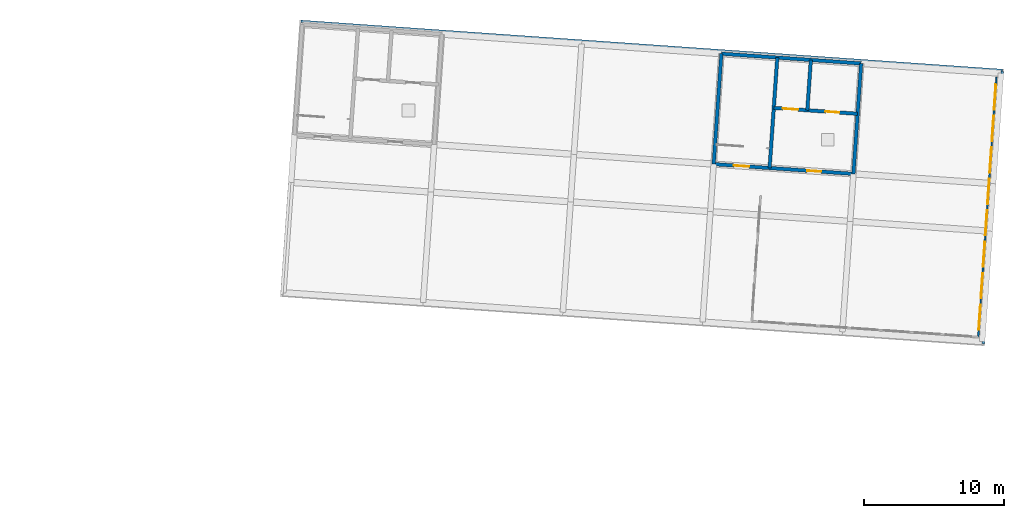
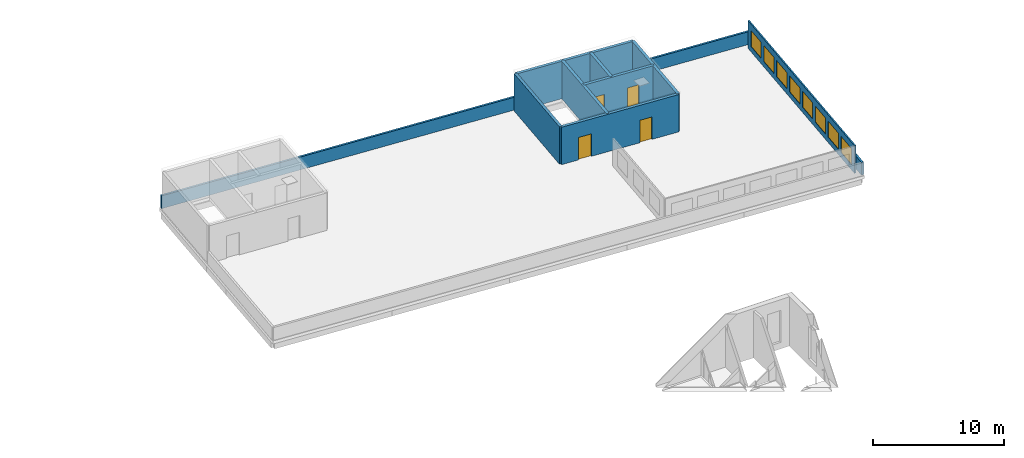
# One storey, part 84 of 110: 10 walls, 8 windows, 4 doors, 12 openings.
"""IFC4 building model written with IfcOpenShell, lengths in metres."""

from ifc_helpers import new_model, si_unit, direction, frame, frame_2d, origin, place, context, subcontext, project, spatial, rectangle, extrude, material, layer, layer_set, type_object, element, fill, save


model = new_model("IFC4")

# Units and contexts
model_context = context("Model", 3, precision=1e-05, world=origin(), true_north=direction((0.0, 1.0)))
body_context = subcontext(model_context, "Body", "Model", "MODEL_VIEW")
ifc_project = project(units=[si_unit("LENGTHUNIT", "METRE"), si_unit("AREAUNIT", "SQUARE_METRE"), si_unit("VOLUMEUNIT", "CUBIC_METRE"), si_unit("PLANEANGLEUNIT", "RADIAN"), si_unit("MASSUNIT", "GRAM", prefix="KILO")], contexts=[model_context])

# Site, building, storey
site_placement = place(None, origin())
site = spatial("IfcSite", under=ifc_project, at=site_placement, CompositionType="ELEMENT")
building_placement = place(site_placement, origin())
building = spatial("IfcBuilding", under=site, at=building_placement, Name="Windward Yard Aquatics Centre", CompositionType="ELEMENT")
storey_placement = place(building_placement, frame((0.0, 0.0, 22.60009765625)))
storey = spatial("IfcBuildingStorey", under=building, at=storey_placement, Name="L05", CompositionType="ELEMENT", Elevation=22.60009765625)

# Wall, openings, doors
ifc_material_1 = material(Name="Concrete C40/50", Category="concrete")
ifc_layer_1 = layer(ifc_material_1, 0.25)
ifc_layer_set_1 = layer_set([ifc_layer_1], Name="W RC core wall 250 Concrete C40/50")
wall_type_1 = type_object("IfcWallType", Name="W RC core wall 250 Concrete C40/50", PredefinedType="SOLIDWALL", material=ifc_layer_set_1)
wall_1_placement = place(storey_placement, frame((148.553955078125, 125.347412109375, 0.0), z_axis=(0.0, 0.0, 1.0), x_axis=(0.997562826017, -0.069773979021, 0.0)))
wall_1 = element("IfcWall", 1, at=wall_1_placement, inside=storey, type_object=wall_type_1, Name="W.HH.E.1", PredefinedType="SOLIDWALL", context=body_context, shape_type="SweptSolid", body=[
    extrude(rectangle(XDim=10.000244140625, YDim=0.25, at=frame_2d((5.0, 0.0))), origin(), (0.0, 0.0, 1.0), 3.5),
])
opening_1_placement = place(wall_1_placement, frame((1.449951171875, 0.0, 0.0)))
opening_1 = element("IfcOpeningElement", 2, at=opening_1_placement, cuts=wall_1, Name="Opening W5005", PredefinedType="OPENING", context=body_context, shape_type="SweptSolid", body=[
    extrude(rectangle(XDim=1.10009765625, YDim=2.10009765625, at=frame_2d((0.550048828125, 1.050048828125))), frame((0.0, 0.135009765625, 0.0), z_axis=(0.0, -1.0, 0.0), x_axis=(1.0, 0.0, 0.0)), (0.0, 0.0, 1.0), 0.27001953125),
])
opening_2_placement = place(wall_1_placement, frame((6.699951171875, 0.0, 0.0)))
opening_2 = element("IfcOpeningElement", 3, at=opening_2_placement, cuts=wall_1, Name="Opening W5006", PredefinedType="OPENING", context=body_context, shape_type="SweptSolid", body=[
    extrude(rectangle(XDim=1.0, YDim=2.10009765625, at=frame_2d((0.5, 1.050048828125))), frame((0.0, 0.135009765625, 0.0), z_axis=(0.0, -1.0, 0.0), x_axis=(1.0, 0.0, 0.0)), (0.0, 0.0, 1.0), 0.27001953125),
])
ifc_material_2 = material(Name="Steel fire door leaf", Category="steel")
door_type_1 = type_object("IfcDoorType", Name="W fire door FD60 1000x2100", OperationType="SINGLE_SWING_LEFT", PredefinedType="DOOR", material=ifc_material_2)
door_1_placement = place(opening_2_placement, origin())
door_1 = element("IfcDoor", 4, at=door_1_placement, inside=storey, type_object=door_type_1, Name="W.DRI.L05.006", OperationType="SINGLE_SWING_LEFT", OverallHeight=2.10009765625, OverallWidth=1.0, PredefinedType="DOOR", context=body_context, shape_type="SweptSolid", body=[
    extrude(rectangle(XDim=1.0, YDim=2.10009765625, at=frame_2d((0.5, 1.050048828125))), frame((0.0, 0.02490234375, 0.0), z_axis=(0.0, -1.0, 0.0), x_axis=(1.0, 0.0, 0.0)), (0.0, 0.0, 1.0), 0.050048828125),
])
fill(opening_2, door_1)
door_type_2 = type_object("IfcDoorType", Name="W stair door FD60 1100x2100", OperationType="SINGLE_SWING_LEFT", PredefinedType="DOOR", material=ifc_material_2)
door_2_placement = place(opening_1_placement, origin())
door_2 = element("IfcDoor", 5, at=door_2_placement, inside=storey, type_object=door_type_2, Name="W.DRI.L05.005", OperationType="SINGLE_SWING_RIGHT", OverallHeight=2.10009765625, OverallWidth=1.10009765625, PredefinedType="DOOR", context=body_context, shape_type="SweptSolid", body=[
    extrude(rectangle(XDim=1.10009765625, YDim=2.10009765625, at=frame_2d((0.550048828125, 1.050048828125))), frame((0.0, 0.02490234375, 0.0), z_axis=(0.0, -1.0, 0.0), x_axis=(1.0, 0.0, 0.0)), (0.0, 0.0, 1.0), 0.050048828125),
])
fill(opening_1, door_2)

# Walls
wall_2_placement = place(storey_placement, frame((158.52978515625, 124.649658203125, 0.0), z_axis=(0.0, 0.0, 1.0), x_axis=(0.0697491702, 0.997564560947, 0.0)))
element("IfcWall", 6, at=wall_2_placement, inside=storey, type_object=wall_type_1, Name="W.HH.E.2", PredefinedType="SOLIDWALL", context=body_context, shape_type="SweptSolid", body=[
    extrude(rectangle(XDim=7.900146484375, YDim=0.25, at=frame_2d((3.9501953125, 0.0))), origin(), (0.0, 0.0, 1.0), 3.5),
])
wall_3_placement = place(storey_placement, frame((159.080810546875, 132.530517578125, 0.0), z_axis=(0.0, 0.0, 1.0), x_axis=(-0.997564525005, 0.069749684245, 0.0)))
element("IfcWall", 7, at=wall_3_placement, inside=storey, type_object=wall_type_1, Name="W.HH.E.3", PredefinedType="SOLIDWALL", context=body_context, shape_type="SweptSolid", body=[
    extrude(rectangle(XDim=10.000244140625, YDim=0.25, at=frame_2d((5.0, 0.0))), origin(), (0.0, 0.0, 1.0), 3.5),
])
for number, where, z_axis, x_axis, name in (
    (8, (149.10498046875, 133.22802734375, 0.0), (0.0, 0.0, 1.0), (-0.069751320509, -0.997564410596, 0.0), "W.HH.E.4"),
    (9, (152.544189453125, 125.068359375, 0.0), (0.0, 0.0, 1.0), (0.069782074492, 0.997562259751, 0.0), "W.WL.L05.003"),
):
    element("IfcWall", number, at=place(storey_placement, frame(where, z_axis=z_axis, x_axis=x_axis)), inside=storey, type_object=wall_type_1, Name=name, PredefinedType="SOLIDWALL", context=body_context, shape_type="SweptSolid", body=[
        extrude(rectangle(XDim=7.89990234375, YDim=0.25, at=frame_2d((3.949951171875, 0.0))), origin(), (0.0, 0.0, 1.0), 3.5),
    ])
wall_4_placement = place(storey_placement, frame((155.23828125, 129.1904296875, 0.0), z_axis=(0.0, 0.0, 1.0), x_axis=(0.06978660948, 0.997561942506, 0.0)))
element("IfcWall", 10, at=wall_4_placement, inside=storey, type_object=wall_type_1, Name="W.WL.L05.004", PredefinedType="SOLIDWALL", context=body_context, shape_type="SweptSolid", body=[
    extrude(rectangle(XDim=3.599853515625, YDim=0.25, at=frame_2d((1.7998046875, 0.0))), origin(), (0.0, 0.0, 1.0), 3.5),
])

# Wall, openings, doors
wall_5_placement = place(storey_placement, frame((152.84423828125, 129.35791015625, 0.0), z_axis=(0.0, 0.0, 1.0), x_axis=(0.997562140671, -0.069783776768, 0.0)))
wall_5 = element("IfcWall", 11, at=wall_5_placement, inside=storey, type_object=wall_type_1, Name="W.WL.L05.006", PredefinedType="SOLIDWALL", context=body_context, shape_type="SweptSolid", body=[
    extrude(rectangle(XDim=6.0, YDim=0.25, at=frame_2d((3.0, 0.0))), origin(), (0.0, 0.0, 1.0), 3.5),
])
opening_3_placement = place(wall_5_placement, frame((3.699951171875, 0.0, 0.0)))
opening_3 = element("IfcOpeningElement", 12, at=opening_3_placement, cuts=wall_5, Name="Opening W5007", PredefinedType="OPENING", context=body_context, shape_type="SweptSolid", body=[
    extrude(rectangle(XDim=1.0, YDim=2.10009765625, at=frame_2d((0.5, 1.050048828125))), frame((0.0, 0.135009765625, 0.0), z_axis=(0.0, -1.0, 0.0), x_axis=(1.0, 0.0, 0.0)), (0.0, 0.0, 1.0), 0.27001953125),
])
opening_4_placement = place(wall_5_placement, frame((0.64990234375, 0.0, 0.0)))
opening_4 = element("IfcOpeningElement", 13, at=opening_4_placement, cuts=wall_5, Name="Opening W5008", PredefinedType="OPENING", context=body_context, shape_type="SweptSolid", body=[
    extrude(rectangle(XDim=1.10009765625, YDim=2.10009765625, at=frame_2d((0.550048828125, 1.050048828125))), frame((0.0, 0.135009765625, 0.0), z_axis=(0.0, -1.0, 0.0), x_axis=(1.0, 0.0, 0.0)), (0.0, 0.0, 1.0), 0.27001953125),
])
door_3_placement = place(opening_3_placement, origin())
door_3 = element("IfcDoor", 14, at=door_3_placement, inside=storey, type_object=door_type_1, Name="W.DRI.L05.007", OperationType="SINGLE_SWING_RIGHT", OverallHeight=2.10009765625, OverallWidth=1.0, PredefinedType="DOOR", context=body_context, shape_type="SweptSolid", body=[
    extrude(rectangle(XDim=1.0, YDim=2.10009765625, at=frame_2d((0.5, 1.050048828125))), frame((0.0, 0.02490234375, 0.0), z_axis=(0.0, -1.0, 0.0), x_axis=(1.0, 0.0, 0.0)), (0.0, 0.0, 1.0), 0.050048828125),
])
fill(opening_3, door_3)
ifc_material_3 = material(Name="Stainless steel sliding door leaf", Category="steel")
door_type_3 = type_object("IfcDoorType", Name="W lift landing door 1100x2100", OperationType="SLIDING_TO_LEFT", PredefinedType="DOOR", material=ifc_material_3)
door_4_placement = place(opening_4_placement, origin())
door_4 = element("IfcDoor", 15, at=door_4_placement, inside=storey, type_object=door_type_3, Name="Landing door E L05", OperationType="SLIDING_TO_LEFT", OverallHeight=2.10009765625, OverallWidth=1.10009765625, PredefinedType="DOOR", context=body_context, shape_type="SweptSolid", body=[
    extrude(rectangle(XDim=1.10009765625, YDim=2.10009765625, at=frame_2d((0.550048828125, 1.050048828125))), frame((0.0, 0.02490234375, 0.0), z_axis=(0.0, -1.0, 0.0), x_axis=(1.0, 0.0, 0.0)), (0.0, 0.0, 1.0), 0.050048828125),
])
fill(opening_4, door_4)

# Walls
ifc_material_4 = material(Name="Concrete C35/45", Category="concrete")
ifc_layer_2 = layer(ifc_material_4, 0.179931640625)
ifc_layer_set_2 = layer_set([ifc_layer_2], Name="W parapet 180 Concrete C35/45")
wall_type_2 = type_object("IfcWallType", Name="W parapet 180 Concrete C35/45", PredefinedType="PARAPET", material=ifc_layer_set_2)
wall_6_placement = place(storey_placement, frame((167.806396484375, 112.523193359375, 0.0), z_axis=(0.0, 0.0, 1.0), x_axis=(0.069749514102, 0.997564536901, 0.0)))
element("IfcWall", 16, at=wall_6_placement, inside=storey, type_object=wall_type_2, Name="W.PAR.2", PredefinedType="PARAPET", context=body_context, shape_type="SweptSolid", body=[
    extrude(rectangle(XDim=19.5, YDim=0.179931640625, at=frame_2d((9.75, 0.0))), origin(), (0.0, 0.0, 1.0), 1.199951171875),
])
wall_7_placement = place(storey_placement, frame((169.1708984375, 132.035400390625, 0.0), z_axis=(0.0, 0.0, 1.0), x_axis=(-0.997564157789, 0.069754935989, 0.0)))
element("IfcWall", 17, at=wall_7_placement, inside=storey, type_object=wall_type_2, Name="W.PAR.3", PredefinedType="PARAPET", context=body_context, shape_type="SweptSolid", body=[
    extrude(rectangle(XDim=50.2001953125, YDim=0.179931640625, at=frame_2d((25.10009765625, 0.0))), origin(), (0.0, 0.0, 1.0), 1.199951171875),
])

# Wall, openings, windows
ifc_material_5 = material(Name="Aluminium louvre screen frame", Category="aluminium")
ifc_layer_3 = layer(ifc_material_5, 0.1201171875)
ifc_layer_set_3 = layer_set([ifc_layer_3], Name="W plant screen 120")
wall_type_3 = type_object("IfcWallType", Name="W plant screen 120", PredefinedType="SOLIDWALL", material=ifc_layer_set_3)
wall_8_placement = place(storey_placement, frame((167.438720703125, 113.0, 0.0), z_axis=(0.0, 0.0, 1.0), x_axis=(0.069750756414, 0.997564450038, 0.0)))
wall_8 = element("IfcWall", 18, at=wall_8_placement, inside=storey, type_object=wall_type_3, Name="W.SCR.E", PredefinedType="SOLIDWALL", context=body_context, shape_type="SweptSolid", body=[
    extrude(rectangle(XDim=18.60009765625, YDim=0.1201171875, at=frame_2d((9.300048828125, 0.0))), origin(), (0.0, 0.0, 1.0), 2.599853515625),
])
opening_5_placement = place(wall_8_placement, frame((0.52490234375, 0.0, 0.5)))
opening_5 = element("IfcOpeningElement", 19, at=opening_5_placement, cuts=wall_8, Name="Opening W5508", PredefinedType="OPENING", context=body_context, shape_type="SweptSolid", body=[
    extrude(rectangle(XDim=1.800048828125, YDim=1.5, at=frame_2d((0.89990234375, 0.75))), frame((0.0, 0.070068359375, 0.0), z_axis=(0.0, -1.0, 0.0), x_axis=(1.0, 0.0, 0.0)), (0.0, 0.0, 1.0), 0.14013671875),
])
opening_6_placement = place(wall_8_placement, frame((2.77490234375, 0.0, 0.5)))
opening_6 = element("IfcOpeningElement", 20, at=opening_6_placement, cuts=wall_8, Name="Opening W5509", PredefinedType="OPENING", context=body_context, shape_type="SweptSolid", body=[
    extrude(rectangle(XDim=1.800048828125, YDim=1.5, at=frame_2d((0.89990234375, 0.75))), frame((0.0, 0.070068359375, 0.0), z_axis=(0.0, -1.0, 0.0), x_axis=(1.0, 0.0, 0.0)), (0.0, 0.0, 1.0), 0.14013671875),
])
opening_7_placement = place(wall_8_placement, frame((5.02490234375, 0.0, 0.5)))
opening_7 = element("IfcOpeningElement", 21, at=opening_7_placement, cuts=wall_8, Name="Opening W5510", PredefinedType="OPENING", context=body_context, shape_type="SweptSolid", body=[
    extrude(rectangle(XDim=1.800048828125, YDim=1.5, at=frame_2d((0.89990234375, 0.75))), frame((0.0, 0.070068359375, 0.0), z_axis=(0.0, -1.0, 0.0), x_axis=(1.0, 0.0, 0.0)), (0.0, 0.0, 1.0), 0.14013671875),
])
opening_8_placement = place(wall_8_placement, frame((7.27490234375, 0.0, 0.5)))
opening_8 = element("IfcOpeningElement", 22, at=opening_8_placement, cuts=wall_8, Name="Opening W5511", PredefinedType="OPENING", context=body_context, shape_type="SweptSolid", body=[
    extrude(rectangle(XDim=1.800048828125, YDim=1.5, at=frame_2d((0.89990234375, 0.75))), frame((0.0, 0.070068359375, 0.0), z_axis=(0.0, -1.0, 0.0), x_axis=(1.0, 0.0, 0.0)), (0.0, 0.0, 1.0), 0.14013671875),
])
opening_9_placement = place(wall_8_placement, frame((9.52490234375, 0.0, 0.5)))
opening_9 = element("IfcOpeningElement", 23, at=opening_9_placement, cuts=wall_8, Name="Opening W5512", PredefinedType="OPENING", context=body_context, shape_type="SweptSolid", body=[
    extrude(rectangle(XDim=1.800048828125, YDim=1.5, at=frame_2d((0.89990234375, 0.75))), frame((0.0, 0.070068359375, 0.0), z_axis=(0.0, -1.0, 0.0), x_axis=(1.0, 0.0, 0.0)), (0.0, 0.0, 1.0), 0.14013671875),
])
opening_10_placement = place(wall_8_placement, frame((11.77490234375, 0.0, 0.5)))
opening_10 = element("IfcOpeningElement", 24, at=opening_10_placement, cuts=wall_8, Name="Opening W5513", PredefinedType="OPENING", context=body_context, shape_type="SweptSolid", body=[
    extrude(rectangle(XDim=1.800048828125, YDim=1.5, at=frame_2d((0.89990234375, 0.75))), frame((0.0, 0.070068359375, 0.0), z_axis=(0.0, -1.0, 0.0), x_axis=(1.0, 0.0, 0.0)), (0.0, 0.0, 1.0), 0.14013671875),
])
opening_11_placement = place(wall_8_placement, frame((14.02490234375, 0.0, 0.5)))
opening_11 = element("IfcOpeningElement", 25, at=opening_11_placement, cuts=wall_8, Name="Opening W5514", PredefinedType="OPENING", context=body_context, shape_type="SweptSolid", body=[
    extrude(rectangle(XDim=1.800048828125, YDim=1.5, at=frame_2d((0.89990234375, 0.75))), frame((0.0, 0.070068359375, 0.0), z_axis=(0.0, -1.0, 0.0), x_axis=(1.0, 0.0, 0.0)), (0.0, 0.0, 1.0), 0.14013671875),
])
opening_12_placement = place(wall_8_placement, frame((16.27490234375, 0.0, 0.5)))
opening_12 = element("IfcOpeningElement", 26, at=opening_12_placement, cuts=wall_8, Name="Opening W5515", PredefinedType="OPENING", context=body_context, shape_type="SweptSolid", body=[
    extrude(rectangle(XDim=1.800048828125, YDim=1.5, at=frame_2d((0.89990234375, 0.75))), frame((0.0, 0.070068359375, 0.0), z_axis=(0.0, -1.0, 0.0), x_axis=(1.0, 0.0, 0.0)), (0.0, 0.0, 1.0), 0.14013671875),
])
ifc_material_6 = material(Name="Aluminium storm louvre", Category="aluminium")
window_type = type_object("IfcWindowType", Name="W storm louvre 1800x1500", PartitioningType="SINGLE_PANEL", PredefinedType="WINDOW", material=ifc_material_6)
window_1_placement = place(opening_5_placement, origin())
window_1 = element("IfcWindow", 27, at=window_1_placement, inside=storey, type_object=window_type, Name="W.WN.ROOF.W5508", OverallHeight=1.5, OverallWidth=1.800048828125, PartitioningType="SINGLE_PANEL", PredefinedType="WINDOW", context=body_context, shape_type="SweptSolid", body=[
    extrude(rectangle(XDim=1.800048828125, YDim=1.5, at=frame_2d((0.89990234375, 0.75))), frame((0.0, 0.030029296875, 0.0), z_axis=(0.0, -1.0, 0.0), x_axis=(1.0, 0.0, 0.0)), (0.0, 0.0, 1.0), 0.06005859375),
])
fill(opening_5, window_1)
window_2_placement = place(opening_6_placement, origin())
window_2 = element("IfcWindow", 28, at=window_2_placement, inside=storey, type_object=window_type, Name="W.WN.ROOF.W5509", OverallHeight=1.5, OverallWidth=1.800048828125, PartitioningType="SINGLE_PANEL", PredefinedType="WINDOW", context=body_context, shape_type="SweptSolid", body=[
    extrude(rectangle(XDim=1.800048828125, YDim=1.5, at=frame_2d((0.89990234375, 0.75))), frame((0.0, 0.030029296875, 0.0), z_axis=(0.0, -1.0, 0.0), x_axis=(1.0, 0.0, 0.0)), (0.0, 0.0, 1.0), 0.06005859375),
])
fill(opening_6, window_2)
window_3_placement = place(opening_7_placement, origin())
window_3 = element("IfcWindow", 29, at=window_3_placement, inside=storey, type_object=window_type, Name="W.WN.ROOF.W5510", OverallHeight=1.5, OverallWidth=1.800048828125, PartitioningType="SINGLE_PANEL", PredefinedType="WINDOW", context=body_context, shape_type="SweptSolid", body=[
    extrude(rectangle(XDim=1.800048828125, YDim=1.5, at=frame_2d((0.89990234375, 0.75))), frame((0.0, 0.030029296875, 0.0), z_axis=(0.0, -1.0, 0.0), x_axis=(1.0, 0.0, 0.0)), (0.0, 0.0, 1.0), 0.06005859375),
])
fill(opening_7, window_3)
window_4_placement = place(opening_8_placement, origin())
window_4 = element("IfcWindow", 30, at=window_4_placement, inside=storey, type_object=window_type, Name="W.WN.ROOF.W5511", OverallHeight=1.5, OverallWidth=1.800048828125, PartitioningType="SINGLE_PANEL", PredefinedType="WINDOW", context=body_context, shape_type="SweptSolid", body=[
    extrude(rectangle(XDim=1.800048828125, YDim=1.5, at=frame_2d((0.89990234375, 0.75))), frame((0.0, 0.030029296875, 0.0), z_axis=(0.0, -1.0, 0.0), x_axis=(1.0, 0.0, 0.0)), (0.0, 0.0, 1.0), 0.06005859375),
])
fill(opening_8, window_4)
window_5_placement = place(opening_9_placement, origin())
window_5 = element("IfcWindow", 31, at=window_5_placement, inside=storey, type_object=window_type, Name="W.WN.ROOF.W5512", OverallHeight=1.5, OverallWidth=1.800048828125, PartitioningType="SINGLE_PANEL", PredefinedType="WINDOW", context=body_context, shape_type="SweptSolid", body=[
    extrude(rectangle(XDim=1.800048828125, YDim=1.5, at=frame_2d((0.89990234375, 0.75))), frame((0.0, 0.030029296875, 0.0), z_axis=(0.0, -1.0, 0.0), x_axis=(1.0, 0.0, 0.0)), (0.0, 0.0, 1.0), 0.06005859375),
])
fill(opening_9, window_5)
window_6_placement = place(opening_10_placement, origin())
window_6 = element("IfcWindow", 32, at=window_6_placement, inside=storey, type_object=window_type, Name="W.WN.ROOF.W5513", OverallHeight=1.5, OverallWidth=1.800048828125, PartitioningType="SINGLE_PANEL", PredefinedType="WINDOW", context=body_context, shape_type="SweptSolid", body=[
    extrude(rectangle(XDim=1.800048828125, YDim=1.5, at=frame_2d((0.89990234375, 0.75))), frame((0.0, 0.030029296875, 0.0), z_axis=(0.0, -1.0, 0.0), x_axis=(1.0, 0.0, 0.0)), (0.0, 0.0, 1.0), 0.06005859375),
])
fill(opening_10, window_6)
window_7_placement = place(opening_11_placement, origin())
window_7 = element("IfcWindow", 33, at=window_7_placement, inside=storey, type_object=window_type, Name="W.WN.ROOF.W5514", OverallHeight=1.5, OverallWidth=1.800048828125, PartitioningType="SINGLE_PANEL", PredefinedType="WINDOW", context=body_context, shape_type="SweptSolid", body=[
    extrude(rectangle(XDim=1.800048828125, YDim=1.5, at=frame_2d((0.89990234375, 0.75))), frame((0.0, 0.030029296875, 0.0), z_axis=(0.0, -1.0, 0.0), x_axis=(1.0, 0.0, 0.0)), (0.0, 0.0, 1.0), 0.06005859375),
])
fill(opening_11, window_7)
window_8_placement = place(opening_12_placement, origin())
window_8 = element("IfcWindow", 34, at=window_8_placement, inside=storey, type_object=window_type, Name="W.WN.ROOF.W5515", OverallHeight=1.5, OverallWidth=1.800048828125, PartitioningType="SINGLE_PANEL", PredefinedType="WINDOW", context=body_context, shape_type="SweptSolid", body=[
    extrude(rectangle(XDim=1.800048828125, YDim=1.5, at=frame_2d((0.89990234375, 0.75))), frame((0.0, 0.030029296875, 0.0), z_axis=(0.0, -1.0, 0.0), x_axis=(1.0, 0.0, 0.0)), (0.0, 0.0, 1.0), 0.06005859375),
])
fill(opening_12, window_8)

save(model, "model.ifc")
